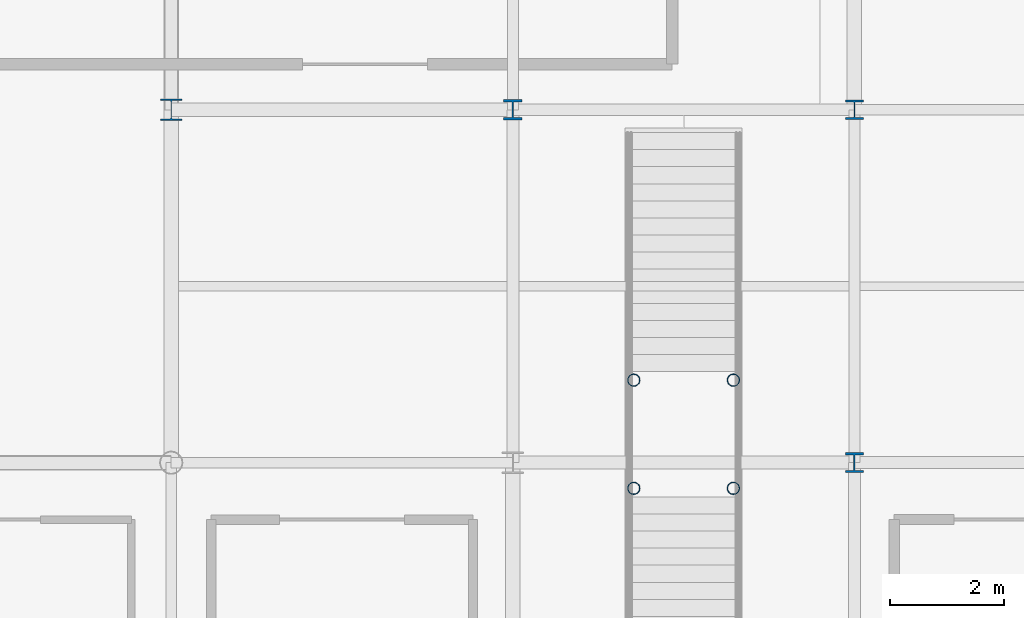
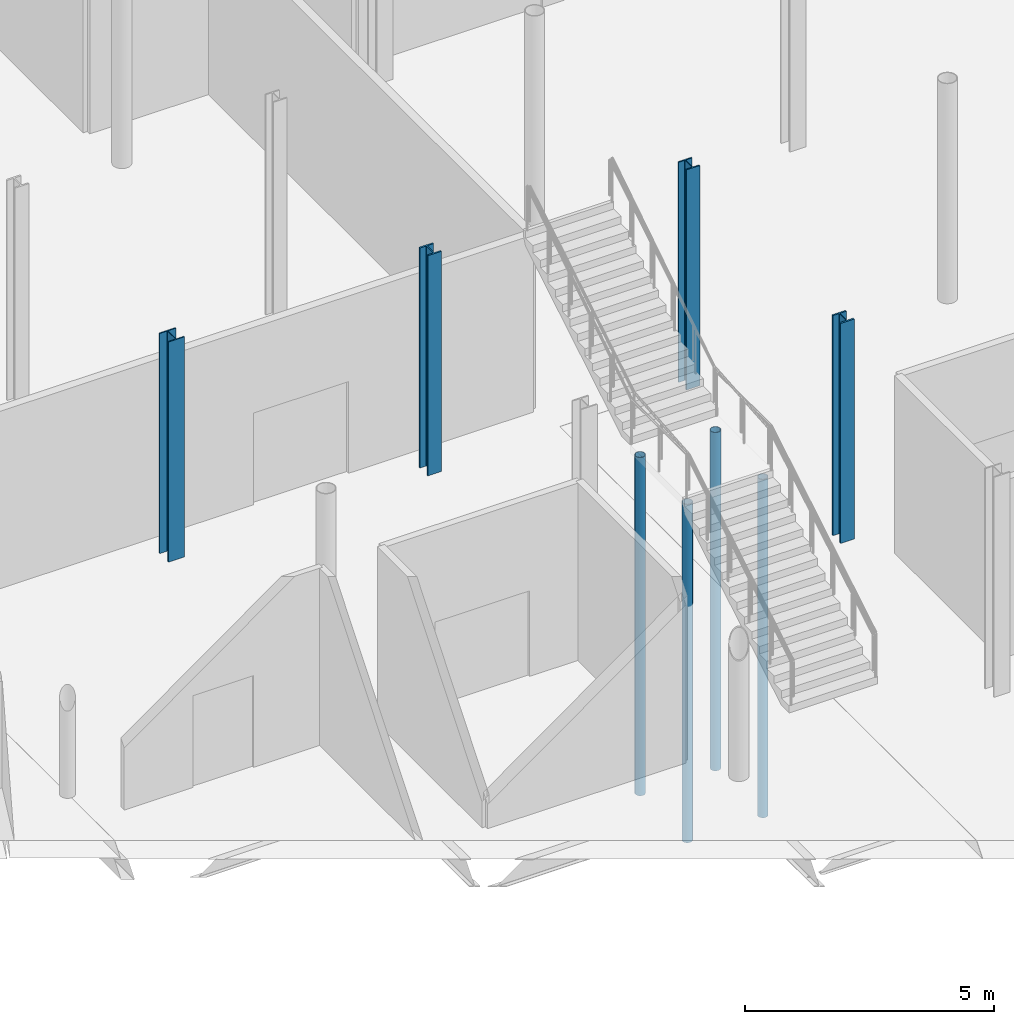
# One storey, part 14 of 98: 8 columns.
"""IFC4 building model written with IfcOpenShell, lengths in metres."""

from ifc_helpers import new_model, si_unit, direction, frame, origin, origin_2d, place, context, subcontext, project, spatial, hollow_circle, i_section, extrude, material, material_profile, profile_set, type_object, element, save


model = new_model("IFC4")

# Units and contexts
model_context = context("Model", 3, precision=1e-05, world=origin(), true_north=direction((0.0, 1.0)))
body_context = subcontext(model_context, "Body", "Model", "MODEL_VIEW")
ifc_project = project(units=[si_unit("LENGTHUNIT", "METRE"), si_unit("AREAUNIT", "SQUARE_METRE"), si_unit("VOLUMEUNIT", "CUBIC_METRE"), si_unit("PLANEANGLEUNIT", "RADIAN"), si_unit("MASSUNIT", "GRAM", prefix="KILO")], contexts=[model_context])

# Site, building, storey
site_placement = place(None, origin())
site = spatial("IfcSite", under=ifc_project, at=site_placement, CompositionType="ELEMENT")
building_placement = place(site_placement, origin())
building = spatial("IfcBuilding", under=site, at=building_placement, Name="Mirzam Square Science Centre", CompositionType="ELEMENT")
storey_placement = place(building_placement, origin())
storey = spatial("IfcBuildingStorey", under=building, at=storey_placement, Name="L00", CompositionType="ELEMENT", Elevation=0.0)

# Columns
ifc_material = material(Name="Steel S355", Category="steel")
ifc_material_profile_1 = material_profile(ifc_material, hollow_circle(Radius=0.109619140625, WallThickness=0.010009765625, at=origin_2d()), Name="219.1x10.0CHS")
ifc_profile_set_1 = profile_set([ifc_material_profile_1], Name="Steel S355")
column_type_1 = type_object("IfcColumnType", Name="COL-CHS219", PredefinedType="COLUMN", material=ifc_profile_set_1)
for number, where, z_axis, x_axis, name in (
    (1, (116.125, 55.35009765625, -5.800048828125), (0.0, 0.0, 1.0), (1.0, 0.0, 0.0), "ST-10 landing support post 1"),
    (2, (117.875, 55.35009765625, -5.800048828125), (0.0, 0.0, 1.0), (1.0, 0.0, 0.0), "ST-10 landing support post 2"),
    (3, (116.125, 57.25, -5.800048828125), (0.0, 0.0, 1.0), (1.0, 0.0, 0.0), "ST-10 landing support post 3"),
    (4, (117.875, 57.25, -5.800048828125), (0.0, 0.0, 1.0), (1.0, 0.0, 0.0), "ST-10 landing support post 4"),
):
    element("IfcColumn", number, at=place(storey_placement, frame(where, z_axis=z_axis, x_axis=x_axis)), inside=storey, type_object=column_type_1, Name=name, PredefinedType="COLUMN", context=body_context, shape_type="SweptSolid", body=[
        extrude(hollow_circle(Radius=0.109619140625, WallThickness=0.010009765625, at=origin_2d()), origin(), (0.0, 0.0, 1.0), 8.300048828125),
    ])
ifc_material_profile_2 = material_profile(ifc_material, i_section(OverallWidth=0.314453125, OverallDepth=0.33984375, WebThickness=0.01904296875, FlangeThickness=0.031494140625, FilletRadius=0.01513671875, at=origin_2d()), Name="305x305x198UC")
ifc_profile_set_2 = profile_set([ifc_material_profile_2], Name="Steel S355")
column_type_2 = type_object("IfcColumnType", Name="COL-UC305B", PredefinedType="COLUMN", material=ifc_profile_set_2)
column_1_placement = place(storey_placement, frame((120.0, 62.0, 0.0), z_axis=(0.0, 0.0, 1.0), x_axis=(1.0, 0.0, 0.0)))
element("IfcColumn", 5, at=column_1_placement, inside=storey, type_object=column_type_2, Name="L00 column G21-11", PredefinedType="COLUMN", context=body_context, shape_type="SweptSolid", body=[
    extrude(i_section(OverallWidth=0.314453125, OverallDepth=0.33984375, WebThickness=0.01904296875, FlangeThickness=0.031494140625, FilletRadius=0.01513671875, at=origin_2d()), origin(), (0.0, 0.0, 1.0), 5.39990234375),
])
ifc_material_profile_3 = material_profile(ifc_material, i_section(OverallWidth=0.318359375, OverallDepth=0.3525390625, WebThickness=0.02294921875, FlangeThickness=0.03759765625, FilletRadius=0.01513671875, at=origin_2d()), Name="305x305x240UC")
ifc_profile_set_3 = profile_set([ifc_material_profile_3], Name="Steel S355")
column_type_3 = type_object("IfcColumnType", Name="COL-UC305C", PredefinedType="COLUMN", material=ifc_profile_set_3)
for number, where, z_axis, x_axis, name in (
    (6, (114.0, 62.0, 0.0), (0.0, 0.0, 1.0), (1.0, 0.0, 0.0), "L00 column G20-11"),
    (7, (120.0, 55.800048828125, 0.0), (0.0, 0.0, 1.0), (1.0, 0.0, 0.0), "L00 column G21-10"),
):
    element("IfcColumn", number, at=place(storey_placement, frame(where, z_axis=z_axis, x_axis=x_axis)), inside=storey, type_object=column_type_3, Name=name, PredefinedType="COLUMN", context=body_context, shape_type="SweptSolid", body=[
        extrude(i_section(OverallWidth=0.318359375, OverallDepth=0.3525390625, WebThickness=0.02294921875, FlangeThickness=0.03759765625, FilletRadius=0.01513671875, at=origin_2d()), origin(), (0.0, 0.0, 1.0), 5.39990234375),
    ])
ifc_material_profile_4 = material_profile(ifc_material, i_section(OverallWidth=0.374755859375, OverallDepth=0.37451171875, WebThickness=0.0166015625, FlangeThickness=0.027099609375, FilletRadius=0.01513671875, at=origin_2d()), Name="356x368x202UC")
ifc_profile_set_4 = profile_set([ifc_material_profile_4], Name="Steel S355")
column_type_4 = type_object("IfcColumnType", Name="COL-UC356A", PredefinedType="COLUMN", material=ifc_profile_set_4)
column_2_placement = place(storey_placement, frame((108.0, 62.0, 0.0), z_axis=(0.0, 0.0, 1.0), x_axis=(1.0, 0.0, 0.0)))
element("IfcColumn", 8, at=column_2_placement, inside=storey, type_object=column_type_4, Name="L00 column G19-11", PredefinedType="COLUMN", context=body_context, shape_type="SweptSolid", body=[
    extrude(i_section(OverallWidth=0.374755859375, OverallDepth=0.37451171875, WebThickness=0.0166015625, FlangeThickness=0.027099609375, FilletRadius=0.01513671875, at=origin_2d()), origin(), (0.0, 0.0, 1.0), 5.39990234375),
])

save(model, "model.ifc")
